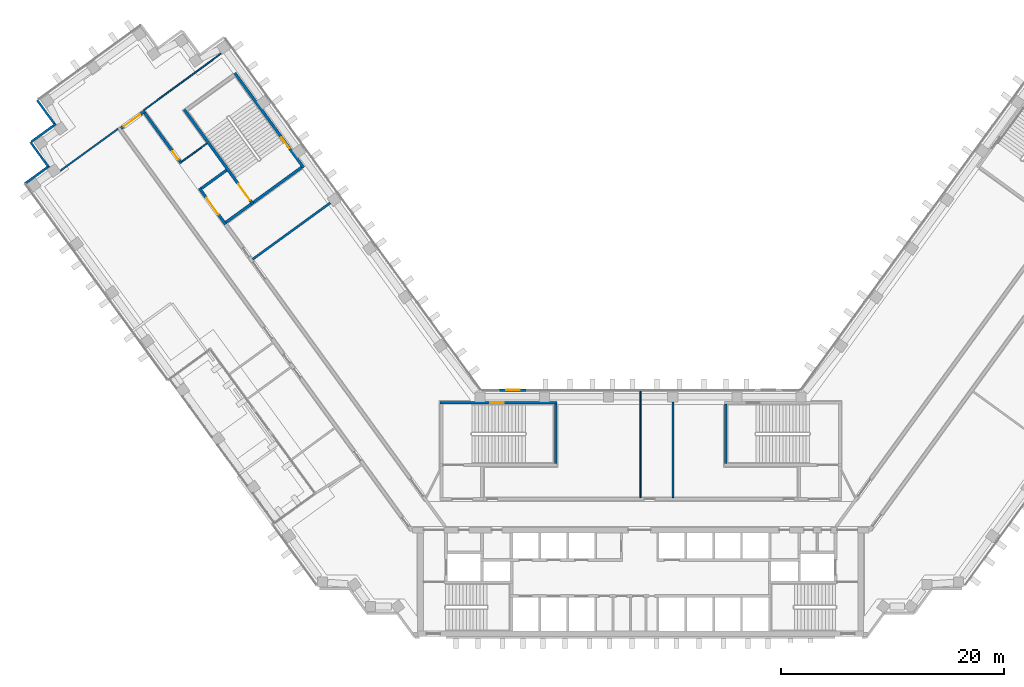
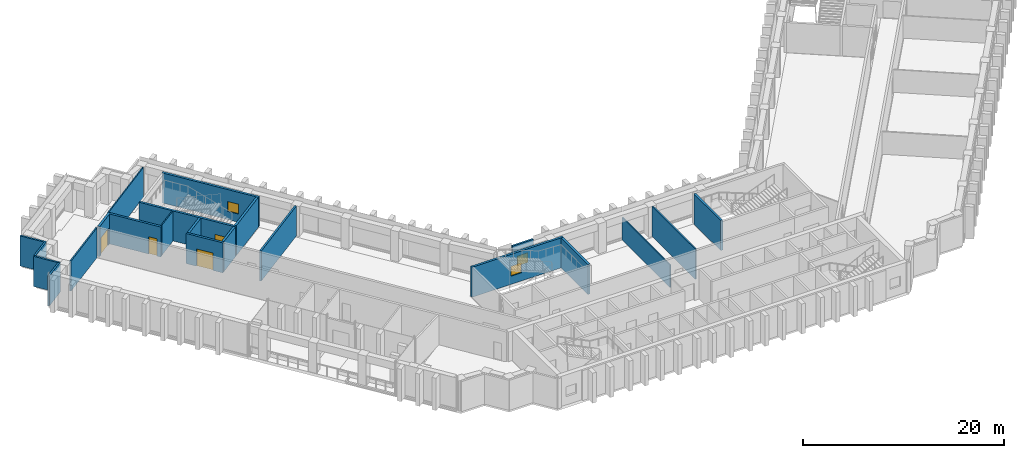
# One storey, part 10 of 16: 22 walls, 4 doors, 3 windows, 7 openings.
"""IFC4 building model written with IfcOpenShell, lengths in metres."""

from ifc_helpers import new_model, si_unit, direction, frame, frame_2d, origin, place, context, subcontext, project, spatial, rectangle, extrude, material, layer, layer_set, type_object, element, fill, save


model = new_model("IFC4")

# Units and contexts
model_context = context("Model", 3, precision=1e-05, world=origin(), true_north=direction((0.0, 1.0)))
body_context = subcontext(model_context, "Body", "Model", "MODEL_VIEW")
ifc_project = project(units=[si_unit("LENGTHUNIT", "METRE"), si_unit("AREAUNIT", "SQUARE_METRE"), si_unit("VOLUMEUNIT", "CUBIC_METRE"), si_unit("PLANEANGLEUNIT", "RADIAN"), si_unit("MASSUNIT", "GRAM", prefix="KILO")], contexts=[model_context])

# Site, building, storey
site_placement = place(None, origin())
site = spatial("IfcSite", under=ifc_project, at=site_placement, CompositionType="ELEMENT")
building_placement = place(site_placement, origin())
building = spatial("IfcBuilding", under=site, at=building_placement, Name="Quipu Civic Tower", CompositionType="ELEMENT")
storey_placement = place(building_placement, frame((0.0, 0.0, 55.0)))
storey = spatial("IfcBuildingStorey", under=building, at=storey_placement, Name="L12", CompositionType="ELEMENT", Elevation=55.0)

# Walls
ifc_material_1 = material(Name="Double gypsum plasterboard with mineral wool")
ifc_layer_1 = layer(ifc_material_1, 0.14990234375)
ifc_layer_set_1 = layer_set([ifc_layer_1], Name="Double gypsum plasterboard with mineral wool")
wall_type_1 = type_object("IfcWallType", Name="Acoustic partition 150 plasterboard", PredefinedType="PARTITIONING", material=ifc_layer_set_1)
wall_1_placement = place(storey_placement, frame((-52.06201171875, 30.783447265625, 0.0), z_axis=(0.0, 0.0, 1.0), x_axis=(0.808992766665, 0.58781859743, 0.0)))
element("IfcWall", 1, at=wall_1_placement, inside=storey, type_object=wall_type_1, Name="Partition P04", PredefinedType="PARTITIONING", context=body_context, shape_type="SweptSolid", body=[
    extrude(rectangle(XDim=6.414306640625, YDim=0.14990234375, at=frame_2d((3.20703125, 0.0))), origin(), (0.0, 0.0, 1.0), 3.64990234375),
])
wall_2_placement = place(storey_placement, frame((2.89892578125, 10.044921875, 0.0), z_axis=(0.0, 0.0, 1.0), x_axis=(0.0, -1.0, 0.0)))
element("IfcWall", 2, at=wall_2_placement, inside=storey, type_object=wall_type_1, Name="Partition P05", PredefinedType="PARTITIONING", context=body_context, shape_type="SweptSolid", body=[
    extrude(rectangle(XDim=8.594970703125, YDim=0.14990234375, at=frame_2d((4.29736328125, 0.0))), origin(), (0.0, 0.0, 1.0), 3.64990234375),
])
ifc_material_2 = material(Name="Fired clay blockwork", Category="masonry")
ifc_layer_2 = layer(ifc_material_2, 0.199951171875)
ifc_layer_set_2 = layer_set([ifc_layer_2], Name="Fired clay blockwork")
wall_type_2 = type_object("IfcWallType", Name="Blockwork wall 200", PredefinedType="SOLIDWALL", material=ifc_layer_set_2)
wall_3_placement = place(storey_placement, frame((-27.851318359375, 27.8974609375, 0.0), z_axis=(0.0, 0.0, 1.0), x_axis=(-0.809030728677, -0.587766348183, 0.0)))
element("IfcWall", 3, at=wall_3_placement, inside=storey, type_object=wall_type_2, Name="Partition P02", PredefinedType="SOLIDWALL", context=body_context, shape_type="SweptSolid", body=[
    extrude(rectangle(XDim=8.596435546875, YDim=0.199951171875, at=frame_2d((4.29833984375, 0.0))), origin(), (0.0, 0.0, 1.0), 3.64990234375),
])
ifc_material_3 = material(Name="Concrete C70/85", Category="concrete")
ifc_layer_3 = layer(ifc_material_3, 0.25)
ifc_layer_set_3 = layer_set([ifc_layer_3], Name="Concrete C70/85")
wall_type_3 = type_object("IfcWallType", Name="Core wall 250", PredefinedType="SHEAR", material=ifc_layer_set_3)
wall_4_placement = place(storey_placement, frame((-7.625, 4.5, 0.0), z_axis=(0.0, 0.0, 1.0), x_axis=(0.0, 1.0, 0.0)))
element("IfcWall", 4, at=wall_4_placement, inside=storey, type_object=wall_type_3, Name="Core wall", PredefinedType="SHEAR", context=body_context, shape_type="SweptSolid", body=[
    extrude(rectangle(XDim=5.35009765625, YDim=0.25, at=frame_2d((2.675048828125, 0.0))), origin(), (0.0, 0.0, 1.0), 3.64990234375),
])

# Wall, opening, window
wall_5_placement = place(storey_placement, frame((-18.0, 9.97509765625, 0.0), z_axis=(0.0, 0.0, 1.0), x_axis=(1.0, 0.0, 0.0)))
wall_5 = element("IfcWall", 5, at=wall_5_placement, inside=storey, type_object=wall_type_3, Name="Core wall", PredefinedType="SHEAR", context=body_context, shape_type="SweptSolid", body=[
    extrude(rectangle(XDim=10.5, YDim=0.25, at=frame_2d((5.25, 0.0))), origin(), (0.0, 0.0, 1.0), 3.64990234375),
])
opening_1_placement = place(wall_5_placement, frame((4.5, 0.0, 1.0)))
opening_1 = element("IfcOpeningElement", 6, at=opening_1_placement, cuts=wall_5, Name="Opening SV-3", PredefinedType="OPENING", context=body_context, shape_type="SweptSolid", body=[
    extrude(rectangle(XDim=1.199951171875, YDim=1.199951171875, at=frame_2d((0.60009765625, 0.60009765625))), frame((0.0, 0.135009765625, 0.0), z_axis=(0.0, -1.0, 0.0), x_axis=(1.0, 0.0, 0.0)), (0.0, 0.0, 1.0), 0.27001953125),
])
ifc_material_4 = material(Name="Aluminium louvre", Category="aluminium")
window_type_1 = type_object("IfcWindowType", Name="Stair ventilation louvre 1200 x 1200", PartitioningType="SINGLE_PANEL", PredefinedType="WINDOW", material=ifc_material_4)
window_1_placement = place(opening_1_placement, origin())
window_1 = element("IfcWindow", 7, at=window_1_placement, inside=storey, type_object=window_type_1, Name="Stair ventilation opening", OverallHeight=1.199951171875, OverallWidth=1.199951171875, PartitioningType="SINGLE_PANEL", PredefinedType="WINDOW", context=body_context, shape_type="SweptSolid", body=[
    extrude(rectangle(XDim=1.199951171875, YDim=1.199951171875, at=frame_2d((0.60009765625, 0.60009765625))), frame((0.0, 0.030029296875, 0.0), z_axis=(0.0, -1.0, 0.0), x_axis=(1.0, 0.0, 0.0)), (0.0, 0.0, 1.0), 0.06005859375),
])
fill(opening_1, window_1)

# Wall
wall_6_placement = place(storey_placement, frame((7.625, 4.5, 0.0), z_axis=(0.0, 0.0, 1.0), x_axis=(0.0, 1.0, 0.0)))
element("IfcWall", 8, at=wall_6_placement, inside=storey, type_object=wall_type_3, Name="Core wall", PredefinedType="SHEAR", context=body_context, shape_type="SweptSolid", body=[
    extrude(rectangle(XDim=5.35009765625, YDim=0.25, at=frame_2d((2.675048828125, 0.0))), origin(), (0.0, 0.0, 1.0), 3.64990234375),
])

# Wall, opening, window
wall_7_placement = place(storey_placement, frame((-30.239501953125, 31.06396484375, 0.0), z_axis=(0.0, 0.0, 1.0), x_axis=(-0.587795589702, 0.809009483706, 0.0)))
wall_7 = element("IfcWall", 9, at=wall_7_placement, inside=storey, type_object=wall_type_3, Name="Core wall", PredefinedType="SHEAR", context=body_context, shape_type="SweptSolid", body=[
    extrude(rectangle(XDim=10.5, YDim=0.25, at=frame_2d((5.25, 0.0))), origin(), (0.0, 0.0, 1.0), 3.64990234375),
])
opening_2_placement = place(wall_7_placement, frame((2.14990234375, 0.0, 1.0)))
opening_2 = element("IfcOpeningElement", 10, at=opening_2_placement, cuts=wall_7, Name="Opening SV-6", PredefinedType="OPENING", context=body_context, shape_type="SweptSolid", body=[
    extrude(rectangle(XDim=1.199951171875, YDim=1.199951171875, at=frame_2d((0.60009765625, 0.60009765625))), frame((0.0, 0.135009765625, 0.0), z_axis=(0.0, -1.0, 0.0), x_axis=(1.0, 0.0, 0.0)), (0.0, 0.0, 1.0), 0.27001953125),
])
window_2_placement = place(opening_2_placement, origin())
window_2 = element("IfcWindow", 11, at=window_2_placement, inside=storey, type_object=window_type_1, Name="Stair ventilation opening", OverallHeight=1.199951171875, OverallWidth=1.199951171875, PartitioningType="SINGLE_PANEL", PredefinedType="WINDOW", context=body_context, shape_type="SweptSolid", body=[
    extrude(rectangle(XDim=1.199951171875, YDim=1.199951171875, at=frame_2d((0.60009765625, 0.60009765625))), frame((0.0, 0.030029296875, 0.0), z_axis=(0.0, -1.0, 0.0), x_axis=(1.0, 0.0, 0.0)), (0.0, 0.0, 1.0), 0.06005859375),
])
fill(opening_2, window_2)

# Wall
wall_8_placement = place(storey_placement, frame((-30.414306640625, 31.091796875, 0.0), z_axis=(0.0, 0.0, 1.0), x_axis=(-0.8089984606, -0.587810760999, 0.0)))
element("IfcWall", 12, at=wall_8_placement, inside=storey, type_object=wall_type_3, Name="Core wall", PredefinedType="SHEAR", context=body_context, shape_type="SweptSolid", body=[
    extrude(rectangle(XDim=5.35009765625, YDim=0.25, at=frame_2d((2.675048828125, 0.0))), origin(), (0.0, 0.0, 1.0), 3.64990234375),
])

# Wall, opening, door
wall_9_placement = place(storey_placement, frame((-40.94189453125, 36.26708984375, 0.0), z_axis=(0.0, 0.0, 1.0), x_axis=(0.587795589702, -0.809009483706, 0.0)))
wall_9 = element("IfcWall", 13, at=wall_9_placement, inside=storey, type_object=wall_type_3, Name="Core wall", PredefinedType="SHEAR", context=body_context, shape_type="SweptSolid", body=[
    extrude(rectangle(XDim=10.5, YDim=0.25, at=frame_2d((5.25, 0.0))), origin(), (0.0, 0.0, 1.0), 3.64990234375),
])
opening_3_placement = place(wall_9_placement, frame((8.25, 0.0, 0.0)))
opening_3 = element("IfcOpeningElement", 14, at=opening_3_placement, cuts=wall_9, Name="Opening CD-20", PredefinedType="OPENING", context=body_context, shape_type="SweptSolid", body=[
    extrude(rectangle(XDim=1.800048828125, YDim=2.10009765625, at=frame_2d((0.89990234375, 1.050048828125))), frame((0.0, 0.135009765625, 0.0), z_axis=(0.0, -1.0, 0.0), x_axis=(1.0, 0.0, 0.0)), (0.0, 0.0, 1.0), 0.27001953125),
])
ifc_material_5 = material(Name="Fire rated steel door", Category="steel")
door_type_1 = type_object("IfcDoorType", Name="Fire door FD90 double 1800 x 2100", OperationType="NOTDEFINED", PredefinedType="DOOR", material=ifc_material_5)
door_1_placement = place(opening_3_placement, origin())
door_1 = element("IfcDoor", 15, at=door_1_placement, inside=storey, type_object=door_type_1, Name="Door", OperationType="DOUBLE_DOOR_SINGLE_SWING", OverallHeight=2.10009765625, OverallWidth=1.800048828125, PredefinedType="DOOR", context=body_context, shape_type="SweptSolid", body=[
    extrude(rectangle(XDim=1.800048828125, YDim=2.10009765625, at=frame_2d((0.89990234375, 1.050048828125))), frame((0.0, 0.02490234375, 0.0), z_axis=(0.0, -1.0, 0.0), x_axis=(1.0, 0.0, 0.0)), (0.0, 0.0, 1.0), 0.050048828125),
])
fill(opening_3, door_1)

# Walls
for number, where, z_axis, x_axis, name in (
    (16, (-34.944580078125, 27.800048828125, 0.0), (0.0, 0.0, 1.0), (-0.809041377956, -0.587751689708, 0.0), "Core wall"),
    (17, (-37.14892578125, 30.833984375, 0.0), (0.0, 0.0, 1.0), (-0.808969789945, -0.58785021813, 0.0), "Core wall"),
):
    element("IfcWall", number, at=place(storey_placement, frame(where, z_axis=z_axis, x_axis=x_axis)), inside=storey, type_object=wall_type_3, Name=name, PredefinedType="SHEAR", context=body_context, shape_type="SweptSolid", body=[
        extrude(rectangle(XDim=2.800048828125, YDim=0.25, at=frame_2d((1.39990234375, 0.0))), origin(), (0.0, 0.0, 1.0), 3.64990234375),
    ])

# Wall, opening, door
wall_10_placement = place(storey_placement, frame((-39.588623046875, 29.2158203125, 0.0), z_axis=(0.0, 0.0, 1.0), x_axis=(0.587772420479, -0.809026317077, 0.0)))
wall_10 = element("IfcWall", 18, at=wall_10_placement, inside=storey, type_object=wall_type_3, Name="Core wall", PredefinedType="SHEAR", context=body_context, shape_type="SweptSolid", body=[
    extrude(rectangle(XDim=4.0, YDim=0.25, at=frame_2d((2.0, 0.0))), origin(), (0.0, 0.0, 1.0), 3.64990234375),
])
opening_4_placement = place(wall_10_placement, frame((1.10009765625, 0.0, 0.0)))
opening_4 = element("IfcOpeningElement", 19, at=opening_4_placement, cuts=wall_10, Name="Opening CD-21", PredefinedType="OPENING", context=body_context, shape_type="SweptSolid", body=[
    extrude(rectangle(XDim=1.800048828125, YDim=2.10009765625, at=frame_2d((0.89990234375, 1.050048828125))), frame((0.0, 0.135009765625, 0.0), z_axis=(0.0, -1.0, 0.0), x_axis=(1.0, 0.0, 0.0)), (0.0, 0.0, 1.0), 0.27001953125),
])
door_2_placement = place(opening_4_placement, origin())
door_2 = element("IfcDoor", 20, at=door_2_placement, inside=storey, type_object=door_type_1, Name="Lobby door", OperationType="DOUBLE_DOOR_SINGLE_SWING", OverallHeight=2.10009765625, OverallWidth=1.800048828125, PredefinedType="DOOR", context=body_context, shape_type="SweptSolid", body=[
    extrude(rectangle(XDim=1.800048828125, YDim=2.10009765625, at=frame_2d((0.89990234375, 1.050048828125))), frame((0.0, 0.02490234375, 0.0), z_axis=(0.0, -1.0, 0.0), x_axis=(1.0, 0.0, 0.0)), (0.0, 0.0, 1.0), 0.050048828125),
])
fill(opening_4, door_2)

ifc_material_6 = material(Name="Concrete C50/60", Category="concrete")
ifc_layer_4 = layer(ifc_material_6, 0.25)
ifc_layer_set_4 = layer_set([ifc_layer_4], Name="Concrete C50/60")
wall_type_4 = type_object("IfcWallType", Name="Corridor wall 250 concrete", PredefinedType="SOLIDWALL", material=ifc_layer_set_4)
wall_11_placement = place(storey_placement, frame((-46.613037109375, 34.587890625, 0.0), z_axis=(0.0, 0.0, 1.0), x_axis=(0.808994936898, 0.587815610607, 0.0)))
wall_11 = element("IfcWall", 21, at=wall_11_placement, inside=storey, type_object=wall_type_4, Name="Corridor wall C02", PredefinedType="SOLIDWALL", context=body_context, shape_type="SweptSolid", body=[
    extrude(rectangle(XDim=2.650146484375, YDim=0.25, at=frame_2d((1.3251953125, 0.0))), origin(), (0.0, 0.0, 1.0), 3.64990234375),
])
opening_5_placement = place(wall_11_placement, frame((0.29931640625, 0.0, 0.0)))
opening_5 = element("IfcOpeningElement", 22, at=opening_5_placement, cuts=wall_11, Name="Opening D020", PredefinedType="OPENING", context=body_context, shape_type="SweptSolid", body=[
    extrude(rectangle(XDim=1.800048828125, YDim=2.10009765625, at=frame_2d((0.89990234375, 1.050048828125))), frame((0.0, 0.135009765625, 0.0), z_axis=(0.0, -1.0, 0.0), x_axis=(1.0, 0.0, 0.0)), (0.0, 0.0, 1.0), 0.27001953125),
])
ifc_material_7 = material(Name="Fire rated timber door set with metal frame", Category="wood")
door_type_2 = type_object("IfcDoorType", Name="Double door 1800 x 2100 FD60", OperationType="DOUBLE_DOOR_SINGLE_SWING", PredefinedType="DOOR", material=ifc_material_7)
door_3_placement = place(opening_5_placement, origin())
door_3 = element("IfcDoor", 23, at=door_3_placement, inside=storey, type_object=door_type_2, Name="Door D020", OperationType="DOUBLE_DOOR_SINGLE_SWING", OverallHeight=2.10009765625, OverallWidth=1.800048828125, PredefinedType="DOOR", context=body_context, shape_type="SweptSolid", body=[
    extrude(rectangle(XDim=1.800048828125, YDim=2.10009765625, at=frame_2d((0.89990234375, 1.050048828125))), frame((0.0, 0.02490234375, 0.0), z_axis=(0.0, -1.0, 0.0), x_axis=(1.0, 0.0, 0.0)), (0.0, 0.0, 1.0), 0.050048828125),
])
fill(opening_5, door_3)

wall_12_placement = place(storey_placement, frame((-44.49658203125, 35.97119140625, 0.0), z_axis=(0.0, 0.0, 1.0), x_axis=(0.587742866856, -0.809047787501, 0.0)))
wall_12 = element("IfcWall", 24, at=wall_12_placement, inside=storey, type_object=wall_type_4, Name="Corridor wall C03", PredefinedType="SOLIDWALL", context=body_context, shape_type="SweptSolid", body=[
    extrude(rectangle(XDim=5.58642578125, YDim=0.25, at=frame_2d((2.793212890625, 0.0))), origin(), (0.0, 0.0, 1.0), 3.64990234375),
])
opening_6_placement = place(wall_12_placement, frame((4.2451171875, 0.0, 0.0)))
opening_6 = element("IfcOpeningElement", 25, at=opening_6_placement, cuts=wall_12, Name="Opening D011", PredefinedType="OPENING", context=body_context, shape_type="SweptSolid", body=[
    extrude(rectangle(XDim=0.89990234375, YDim=2.10009765625, at=frame_2d((0.449951171875, 1.050048828125))), frame((0.0, 0.135009765625, 0.0), z_axis=(0.0, -1.0, 0.0), x_axis=(1.0, 0.0, 0.0)), (0.0, 0.0, 1.0), 0.27001953125),
])
ifc_material_8 = material(Name="Fire rated timber door set with metal frame", Category="wood")
door_type_3 = type_object("IfcDoorType", Name="Single door 900 x 2100 FD60", OperationType="NOTDEFINED", PredefinedType="DOOR", material=ifc_material_8)
door_4_placement = place(opening_6_placement, origin())
door_4 = element("IfcDoor", 26, at=door_4_placement, inside=storey, type_object=door_type_3, Name="Door D011", OperationType="SINGLE_SWING_RIGHT", OverallHeight=2.10009765625, OverallWidth=0.89990234375, PredefinedType="DOOR", context=body_context, shape_type="SweptSolid", body=[
    extrude(rectangle(XDim=0.89990234375, YDim=2.10009765625, at=frame_2d((0.449951171875, 1.050048828125))), frame((0.0, 0.02490234375, 0.0), z_axis=(0.0, -1.0, 0.0), x_axis=(1.0, 0.0, 0.0)), (0.0, 0.0, 1.0), 0.050048828125),
])
fill(opening_6, door_4)

# Walls
ifc_material_9 = material(Name="Gypsum plasterboard on light gauge framing")
ifc_layer_5 = layer(ifc_material_9, 0.1201171875)
ifc_layer_set_5 = layer_set([ifc_layer_5], Name="Gypsum plasterboard on light gauge framing")
wall_type_5 = type_object("IfcWallType", Name="Partition 120 plasterboard", PredefinedType="PARTITIONING", material=ifc_layer_set_5)
wall_13_placement = place(storey_placement, frame((-44.55908203125, 36.235107421875, 0.0), z_axis=(0.0, 0.0, 1.0), x_axis=(0.806949857155, 0.590619952286, 0.0)))
element("IfcWall", 27, at=wall_13_placement, inside=storey, type_object=wall_type_5, Name="Partition P03", PredefinedType="PARTITIONING", context=body_context, shape_type="SweptSolid", body=[
    extrude(rectangle(XDim=8.5703125, YDim=0.1201171875, at=frame_2d((4.28515625, 0.0))), origin(), (0.0, 0.0, 1.0), 3.64990234375),
])
wall_14_placement = place(storey_placement, frame((-0.02001953125, 1.449951171875, 0.0), z_axis=(0.0, 0.0, 1.0), x_axis=(0.0, 1.0, 0.0)))
element("IfcWall", 28, at=wall_14_placement, inside=storey, type_object=wall_type_5, Name="Partition P13", PredefinedType="PARTITIONING", context=body_context, shape_type="SweptSolid", body=[
    extrude(rectangle(XDim=9.550048828125, YDim=0.1201171875, at=frame_2d((4.77490234375, 0.0))), origin(), (0.0, 0.0, 1.0), 2.75),
])
wall_15_placement = place(storey_placement, frame((-41.166015625, 31.59912109375, 0.0), z_axis=(0.0, 0.0, 1.0), x_axis=(0.809090262332, 0.587684394381, 0.0)))
element("IfcWall", 29, at=wall_15_placement, inside=storey, type_object=wall_type_5, Name="Partition P16", PredefinedType="PARTITIONING", context=body_context, shape_type="SweptSolid", body=[
    extrude(rectangle(XDim=2.80078125, YDim=0.1201171875, at=frame_2d((1.400390625, 0.0))), origin(), (0.0, 0.0, 1.0), 3.64990234375),
])
ifc_material_10 = material(Name="Precast concrete C40/50", Category="concrete")
wall_type_6 = type_object("IfcWallType", Name="Precast cladding wall", PredefinedType="SOLIDWALL", material=ifc_material_10)
wall_16_placement = place(storey_placement, frame((-52.46533203125, 34.9873046875, 0.0), z_axis=(0.0, 0.0, 1.0), x_axis=(-0.809033161865, -0.587762999008, 0.0)))
element("IfcWall", 30, at=wall_16_placement, inside=storey, type_object=wall_type_6, Name="Precast cladding wall L12 P01", PredefinedType="SOLIDWALL", context=body_context, shape_type="SweptSolid", body=[
    extrude(rectangle(XDim=2.699951171875, YDim=0.199951171875, at=frame_2d((1.35009765625, 0.0))), origin(), (0.0, 0.0, 1.0), 3.64990234375),
])
wall_17_placement = place(storey_placement, frame((-54.73779296875, 33.351318359375, 0.0), z_axis=(0.0, 0.0, 1.0), x_axis=(0.587779184282, -0.809021403008, 0.0)))
element("IfcWall", 31, at=wall_17_placement, inside=storey, type_object=wall_type_6, Name="Precast cladding wall L12 P02", PredefinedType="SOLIDWALL", context=body_context, shape_type="SweptSolid", body=[
    extrude(rectangle(XDim=2.7001953125, YDim=0.199951171875, at=frame_2d((1.35009765625, 0.0))), origin(), (0.0, 0.0, 1.0), 3.64990234375),
])
for number, where, z_axis, x_axis, name in (
    (32, (-53.062744140625, 31.2158203125, 0.0), (0.0, 0.0, 1.0), (-0.809033161865, -0.587762999008, 0.0), "Precast cladding wall L12 P03"),
    (33, (-54.140380859375, 37.12255859375, 0.0), (0.0, 0.0, 1.0), (0.587822180636, -0.808990163075, 0.0), "Precast cladding wall L12 16"),
):
    element("IfcWall", number, at=place(storey_placement, frame(where, z_axis=z_axis, x_axis=x_axis)), inside=storey, type_object=wall_type_6, Name=name, PredefinedType="SOLIDWALL", context=body_context, shape_type="SweptSolid", body=[
        extrude(rectangle(XDim=2.699951171875, YDim=0.199951171875, at=frame_2d((1.35009765625, 0.0))), origin(), (0.0, 0.0, 1.0), 3.64990234375),
    ])

# Wall, opening, window
wall_18_placement = place(storey_placement, frame((-10.263427734375, 11.10009765625, 0.0), z_axis=(0.0, 0.0, 1.0), x_axis=(-1.0, 0.0, 0.0)))
wall_18 = element("IfcWall", 34, at=wall_18_placement, inside=storey, type_object=wall_type_6, Name="Vent surround SF-L12-1", PredefinedType="SOLIDWALL", context=body_context, shape_type="SweptSolid", body=[
    extrude(rectangle(XDim=2.3916015625, YDim=0.199951171875, at=frame_2d((1.19580078125, 0.0))), origin(), (0.0, 0.0, 1.0), 3.64990234375),
])
opening_7_placement = place(wall_18_placement, frame((0.595703125, 0.0, 1.0)))
opening_7 = element("IfcOpeningElement", 35, at=opening_7_placement, cuts=wall_18, Name="Opening SF-L12-1", PredefinedType="OPENING", context=body_context, shape_type="SweptSolid", body=[
    extrude(rectangle(XDim=1.199951171875, YDim=1.199951171875, at=frame_2d((0.60009765625, 0.60009765625))), frame((0.0, 0.10986328125, 0.0), z_axis=(0.0, -1.0, 0.0), x_axis=(1.0, 0.0, 0.0)), (0.0, 0.0, 1.0), 0.219970703125),
])
ifc_material_11 = material(Name="Anodised aluminium louvre", Category="aluminium")
window_type_2 = type_object("IfcWindowType", Name="Stair vent louvre window P3", PartitioningType="SINGLE_PANEL", PredefinedType="WINDOW", material=ifc_material_11)
window_3_placement = place(opening_7_placement, origin())
window_3 = element("IfcWindow", 36, at=window_3_placement, inside=storey, type_object=window_type_2, Name="Stair vent louvre SF-L12-1", OverallHeight=1.199951171875, OverallWidth=1.199951171875, PartitioningType="SINGLE_PANEL", PredefinedType="WINDOW", context=body_context, shape_type="SweptSolid", body=[
    extrude(rectangle(XDim=1.199951171875, YDim=1.199951171875, at=frame_2d((0.60009765625, 0.60009765625))), frame((0.0, 0.030029296875, 0.0), z_axis=(0.0, -1.0, 0.0), x_axis=(1.0, 0.0, 0.0)), (0.0, 0.0, 1.0), 0.06005859375),
])
fill(opening_7, window_3)

save(model, "model.ifc")
